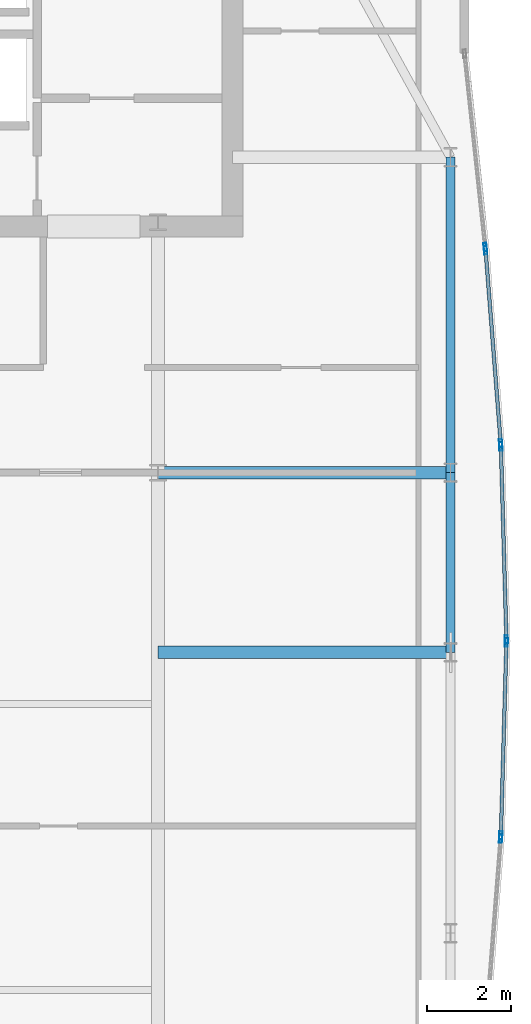
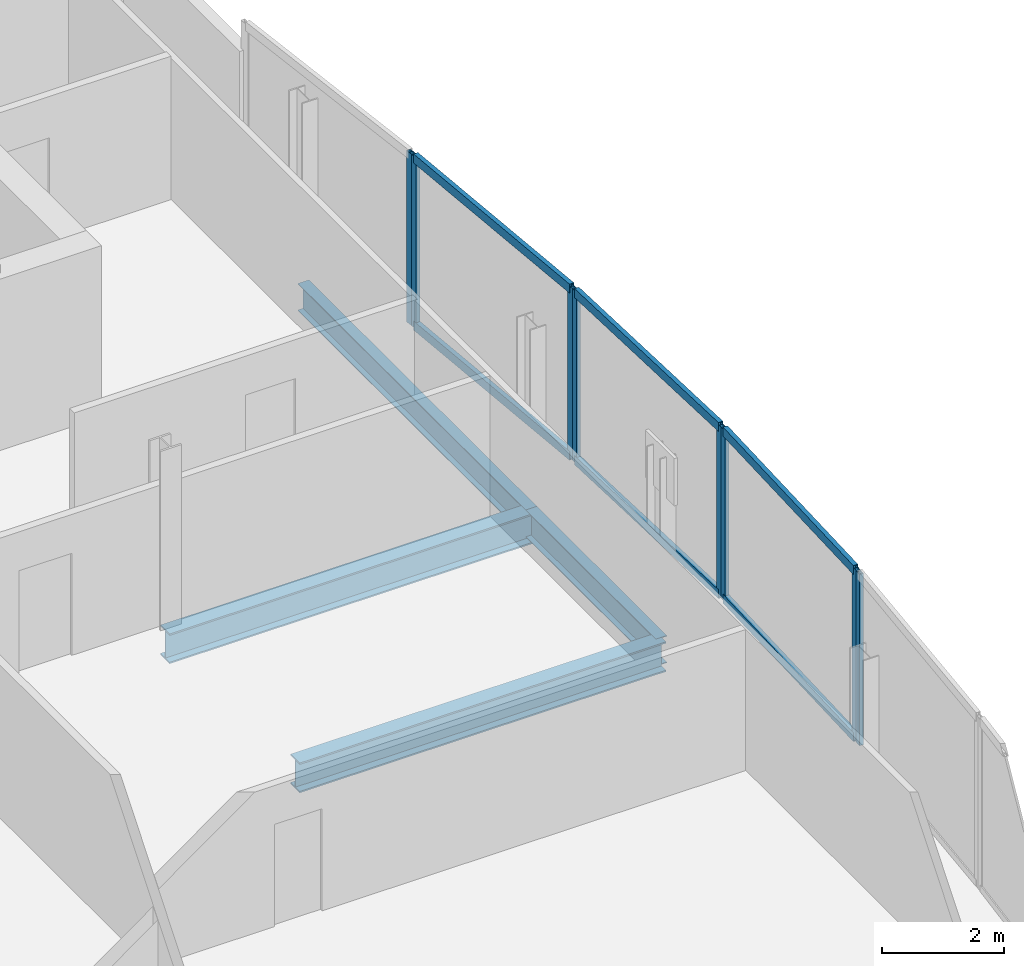
# One storey, part 17 of 27: 14 members, 4 beams, 5 elements without a shape of their own.
"""IFC4 building model written with IfcOpenShell, lengths in metres."""

from ifc_helpers import new_model, si_unit, direction, frame, origin, origin_2d, place, context, subcontext, project, spatial, hollow_rectangle, i_section, extrude, material, material_profile, profile_set, type_object, element, aggregate, save


model = new_model("IFC4")

# Units and contexts
model_context = context("Model", 3, precision=1e-05, world=origin(), true_north=direction((0.0, 1.0)))
body_context = subcontext(model_context, "Body", "Model", "MODEL_VIEW")
ifc_project = project(units=[si_unit("LENGTHUNIT", "METRE"), si_unit("AREAUNIT", "SQUARE_METRE"), si_unit("VOLUMEUNIT", "CUBIC_METRE"), si_unit("PLANEANGLEUNIT", "RADIAN"), si_unit("MASSUNIT", "GRAM", prefix="KILO")], contexts=[model_context])

# Site, building, storey
site_placement = place(None, origin())
site = spatial("IfcSite", under=ifc_project, at=site_placement, CompositionType="ELEMENT")
building_placement = place(site_placement, origin())
building = spatial("IfcBuilding", under=site, at=building_placement, Name="Khoronbel Lancet Exchange", CompositionType="ELEMENT")
storey_placement = place(building_placement, frame((0.0, 0.0, 343.39990234375)))
storey = spatial("IfcBuildingStorey", under=building, at=storey_placement, Name="L89", CompositionType="ELEMENT", Elevation=343.39990234375)

# Beams
ifc_material_1 = material(Name="Steel S355", Category="steel")
ifc_material_profile_1 = material_profile(ifc_material_1, i_section(OverallWidth=0.300048828125, OverallDepth=0.60009765625, WebThickness=0.015380859375, FlangeThickness=0.030029296875, at=origin_2d()), Name="HEB 600")
ifc_profile_set_1 = profile_set([ifc_material_profile_1], Name="Steel S355")
beam_type_1 = type_object("IfcBeamType", Name="BM-BG5", PredefinedType="BEAM", material=ifc_profile_set_1)
for number, where, z_axis, x_axis, name in (
    (1, (54.675048828125, 31.425048828125, -0.4599609375), (1.0, 0.0, 0.0), (0.0, 1.0, 0.0), "Level L89 east lens tie girder LG2E"),
    (2, (54.675048828125, 35.699951171875, -0.4599609375), (1.0, 0.0, 0.0), (0.0, 1.0, 0.0), "Level L89 east lens tie girder LG4E"),
):
    element("IfcBeam", number, at=place(storey_placement, frame(where, z_axis=z_axis, x_axis=x_axis)), inside=storey, type_object=beam_type_1, Name=name, PredefinedType="BEAM", context=body_context, shape_type="SweptSolid", body=[
        extrude(i_section(OverallWidth=0.300048828125, OverallDepth=0.60009765625, WebThickness=0.015380859375, FlangeThickness=0.030029296875, at=origin_2d()), origin(), (0.0, 0.0, 1.0), 6.954833984375),
    ])
ifc_material_profile_2 = material_profile(ifc_material_1, i_section(OverallWidth=0.2099609375, OverallDepth=0.550048828125, WebThickness=0.010986328125, FlangeThickness=0.01708984375, at=origin_2d()), Name="IPE 550")
ifc_profile_set_2 = profile_set([ifc_material_profile_2], Name="Steel S355")
beam_type_2 = type_object("IfcBeamType", Name="BM-BSP3", PredefinedType="SPANDREL", material=ifc_profile_set_2)
beam_1_placement = place(storey_placement, frame((61.6298828125, 31.425048828125, -0.434814453125), z_axis=(0.0, 1.0, 0.0), x_axis=(-1.0, 0.0, 0.0)))
element("IfcBeam", 3, at=beam_1_placement, inside=storey, type_object=beam_type_2, Name="Level L89 perimeter spandrel beam SP11", PredefinedType="SPANDREL", context=body_context, shape_type="SweptSolid", body=[
    extrude(i_section(OverallWidth=0.2099609375, OverallDepth=0.550048828125, WebThickness=0.010986328125, FlangeThickness=0.01708984375, at=origin_2d()), origin(), (0.0, 0.0, 1.0), 4.27490234375),
])
beam_2_placement = place(storey_placement, frame((61.6298828125, 35.699951171875, -0.434814453125), z_axis=(0.0, 1.0, 0.0), x_axis=(-1.0, 0.0, 0.0)))
element("IfcBeam", 4, at=beam_2_placement, inside=storey, type_object=beam_type_2, Name="Level L89 perimeter spandrel beam SP12", PredefinedType="SPANDREL", context=body_context, shape_type="SweptSolid", body=[
    extrude(i_section(OverallWidth=0.2099609375, OverallDepth=0.550048828125, WebThickness=0.010986328125, FlangeThickness=0.01708984375, at=origin_2d()), origin(), (0.0, 0.0, 1.0), 7.5),
])

# Curtain wall, member
ifc_material_2 = material(Name="Low-E Solar Control Insulating Glass", Category="glass")
curtain_wall_type = type_object("IfcCurtainWallType", Name="CW-4", PredefinedType="NOTDEFINED", material=ifc_material_2)
curtain_wall_1_placement = place(storey_placement, origin())
curtain_wall_1 = element("IfcCurtainWall", 5, at=curtain_wall_1_placement, inside=storey, type_object=curtain_wall_type, Name="Unitised curtain wall CW-L89-E17", PredefinedType="NOTDEFINED")
ifc_material_3 = material(Name="Bronze-Anodised Aluminium 6063-T6", Category="aluminium")
ifc_material_profile_3 = material_profile(ifc_material_3, hollow_rectangle(XDim=0.074951171875, YDim=0.199951171875, WallThickness=0.0048828125, at=origin_2d()), Name="ALU MULLION 75x200")
ifc_profile_set_3 = profile_set([ifc_material_profile_3], Name="Bronze-Anodised Aluminium 6063-T6")
member_type_1 = type_object("IfcMemberType", Name="MEM-CWM2", PredefinedType="MULLION", material=ifc_profile_set_3)
member_1_placement = place(storey_placement, frame((62.456298828125, 41.062255859375, 0.0), z_axis=(0.0, 0.0, 1.0), x_axis=(0.994308670645, 0.106537634098, 0.0)))
member_1 = element("IfcMember", 6, at=member_1_placement, type_object=member_type_1, Name="CW4 mullion 2", PredefinedType="MULLION", context=body_context, shape_type="SweptSolid", body=[
    extrude(hollow_rectangle(XDim=0.074951171875, YDim=0.199951171875, WallThickness=0.0048828125, at=origin_2d()), origin(), (0.0, 0.0, 1.0), 3.440185546875),
])
aggregate(curtain_wall_1, [member_1])

# Curtain wall, members
curtain_wall_2_placement = place(storey_placement, origin())
curtain_wall_2 = element("IfcCurtainWall", 7, at=curtain_wall_2_placement, inside=storey, type_object=curtain_wall_type, Name="Unitised curtain wall CW-L89-E18", PredefinedType="NOTDEFINED")
member_2_placement = place(storey_placement, frame((62.46337890625, 40.987548828125, 0.0), z_axis=(0.0, 0.0, 1.0), x_axis=(0.996938933306, 0.078184162452, 0.0)))
member_2 = element("IfcMember", 8, at=member_2_placement, type_object=member_type_1, Name="CW4 mullion 1", PredefinedType="MULLION", context=body_context, shape_type="SweptSolid", body=[
    extrude(hollow_rectangle(XDim=0.074951171875, YDim=0.199951171875, WallThickness=0.0048828125, at=origin_2d()), origin(), (0.0, 0.0, 1.0), 3.440185546875),
])
member_3_placement = place(storey_placement, frame((62.8232421875, 36.399169921875, 0.0), z_axis=(0.0, 0.0, 1.0), x_axis=(0.996938933306, 0.078184162452, 0.0)))
member_3 = element("IfcMember", 9, at=member_3_placement, type_object=member_type_1, Name="CW4 mullion 2", PredefinedType="MULLION", context=body_context, shape_type="SweptSolid", body=[
    extrude(hollow_rectangle(XDim=0.074951171875, YDim=0.199951171875, WallThickness=0.0048828125, at=origin_2d()), origin(), (0.0, 0.0, 1.0), 3.440185546875),
])

curtain_wall_3_placement = place(storey_placement, origin())
curtain_wall_3 = element("IfcCurtainWall", 10, at=curtain_wall_3_placement, inside=storey, type_object=curtain_wall_type, Name="Unitised curtain wall CW-L89-E19", PredefinedType="NOTDEFINED")
member_4_placement = place(storey_placement, frame((62.8271484375, 36.324462890625, 0.0), z_axis=(0.0, 0.0, 1.0), x_axis=(0.9995877728, 0.028710354746, 0.0)))
member_4 = element("IfcMember", 11, at=member_4_placement, type_object=member_type_1, Name="CW4 mullion 1", PredefinedType="MULLION", context=body_context, shape_type="SweptSolid", body=[
    extrude(hollow_rectangle(XDim=0.074951171875, YDim=0.199951171875, WallThickness=0.0048828125, at=origin_2d()), origin(), (0.0, 0.0, 1.0), 3.440185546875),
])
member_5_placement = place(storey_placement, frame((62.958984375, 31.737548828125, 0.0), z_axis=(0.0, 0.0, 1.0), x_axis=(0.9995877728, 0.028710354746, 0.0)))
member_5 = element("IfcMember", 12, at=member_5_placement, type_object=member_type_1, Name="CW4 mullion 2", PredefinedType="MULLION", context=body_context, shape_type="SweptSolid", body=[
    extrude(hollow_rectangle(XDim=0.074951171875, YDim=0.199951171875, WallThickness=0.0048828125, at=origin_2d()), origin(), (0.0, 0.0, 1.0), 3.440185546875),
])

curtain_wall_4_placement = place(storey_placement, origin())
curtain_wall_4 = element("IfcCurtainWall", 13, at=curtain_wall_4_placement, inside=storey, type_object=curtain_wall_type, Name="Unitised curtain wall CW-L89-E20", PredefinedType="NOTDEFINED")
member_6_placement = place(storey_placement, frame((62.958984375, 31.66259765625, 0.0), z_axis=(0.0, 0.0, 1.0), x_axis=(0.9995877728, -0.028710354746, 0.0)))
member_6 = element("IfcMember", 14, at=member_6_placement, type_object=member_type_1, Name="CW4 mullion 1", PredefinedType="MULLION", context=body_context, shape_type="SweptSolid", body=[
    extrude(hollow_rectangle(XDim=0.074951171875, YDim=0.199951171875, WallThickness=0.0048828125, at=origin_2d()), origin(), (0.0, 0.0, 1.0), 3.440185546875),
])
member_7_placement = place(storey_placement, frame((62.8271484375, 27.07568359375, 0.0), z_axis=(0.0, 0.0, 1.0), x_axis=(0.9995877728, -0.028710354746, 0.0)))
member_7 = element("IfcMember", 15, at=member_7_placement, type_object=member_type_1, Name="CW4 mullion 2", PredefinedType="MULLION", context=body_context, shape_type="SweptSolid", body=[
    extrude(hollow_rectangle(XDim=0.074951171875, YDim=0.199951171875, WallThickness=0.0048828125, at=origin_2d()), origin(), (0.0, 0.0, 1.0), 3.440185546875),
])

# Curtain wall, member
curtain_wall_5_placement = place(storey_placement, origin())
curtain_wall_5 = element("IfcCurtainWall", 16, at=curtain_wall_5_placement, inside=storey, type_object=curtain_wall_type, Name="Unitised curtain wall CW-L89-E21", PredefinedType="NOTDEFINED")
member_8_placement = place(storey_placement, frame((62.8232421875, 27.000732421875, 0.0), z_axis=(0.0, 0.0, 1.0), x_axis=(0.996938933306, -0.078184162452, 0.0)))
member_8 = element("IfcMember", 17, at=member_8_placement, type_object=member_type_1, Name="CW4 mullion 1", PredefinedType="MULLION", context=body_context, shape_type="SweptSolid", body=[
    extrude(hollow_rectangle(XDim=0.074951171875, YDim=0.199951171875, WallThickness=0.0048828125, at=origin_2d()), origin(), (0.0, 0.0, 1.0), 3.440185546875),
])
aggregate(curtain_wall_5, [member_8])

# Member
ifc_material_profile_4 = material_profile(ifc_material_3, hollow_rectangle(XDim=0.0849609375, YDim=0.179931640625, WallThickness=0.0048828125, at=origin_2d()), Name="ALU TRANSOM 85x180")
ifc_profile_set_4 = profile_set([ifc_material_profile_4], Name="Bronze-Anodised Aluminium 6063-T6")
member_type_2 = type_object("IfcMemberType", Name="MEM-CWT1", PredefinedType="USERDEFINED", material=ifc_profile_set_4)
member_9_placement = place(storey_placement, frame((62.46630859375, 40.9501953125, 0.04248046875), z_axis=(0.078193347152, -0.996938212961, 0.0), x_axis=(0.996938212961, 0.078193347152, 0.0)))
member_9 = element("IfcMember", 18, at=member_9_placement, type_object=member_type_2, Name="CW4 transom 1.1", ObjectType="TRANSOM", PredefinedType="USERDEFINED", context=body_context, shape_type="SweptSolid", body=[
    extrude(hollow_rectangle(XDim=0.0849609375, YDim=0.179931640625, WallThickness=0.0048828125, at=origin_2d()), origin(), (0.0, 0.0, 1.0), 4.52734375),
])

member_10_placement = place(storey_placement, frame((62.46630859375, 40.9501953125, 3.397705078125), z_axis=(0.078193347152, -0.996938212961, 0.0), x_axis=(0.996938212961, 0.078193347152, 0.0)))
member_10 = element("IfcMember", 19, at=member_10_placement, type_object=member_type_2, Name="CW4 transom 1.2", ObjectType="TRANSOM", PredefinedType="USERDEFINED", context=body_context, shape_type="SweptSolid", body=[
    extrude(hollow_rectangle(XDim=0.0849609375, YDim=0.179931640625, WallThickness=0.0048828125, at=origin_2d()), origin(), (0.0, 0.0, 1.0), 4.52734375),
])

aggregate(curtain_wall_2, [member_2, member_3, member_9, member_10])

member_11_placement = place(storey_placement, frame((62.828369140625, 36.286865234375, 0.04248046875), z_axis=(0.028666316187, -0.999589036713, 0.0), x_axis=(0.999589036713, 0.028666316187, 0.0)))
member_11 = element("IfcMember", 20, at=member_11_placement, type_object=member_type_2, Name="CW4 transom 1.1", ObjectType="TRANSOM", PredefinedType="USERDEFINED", context=body_context, shape_type="SweptSolid", body=[
    extrude(hollow_rectangle(XDim=0.0849609375, YDim=0.179931640625, WallThickness=0.0048828125, at=origin_2d()), origin(), (0.0, 0.0, 1.0), 4.513916015625),
])

member_12_placement = place(storey_placement, frame((62.828369140625, 36.286865234375, 3.397705078125), z_axis=(0.028666316187, -0.999589036713, 0.0), x_axis=(0.999589036713, 0.028666316187, 0.0)))
member_12 = element("IfcMember", 21, at=member_12_placement, type_object=member_type_2, Name="CW4 transom 1.2", ObjectType="TRANSOM", PredefinedType="USERDEFINED", context=body_context, shape_type="SweptSolid", body=[
    extrude(hollow_rectangle(XDim=0.0849609375, YDim=0.179931640625, WallThickness=0.0048828125, at=origin_2d()), origin(), (0.0, 0.0, 1.0), 4.513916015625),
])

aggregate(curtain_wall_3, [member_4, member_5, member_11, member_12])

member_13_placement = place(storey_placement, frame((62.957763671875, 31.625, 0.04248046875), z_axis=(-0.028666316187, -0.999589036713, 0.0), x_axis=(0.999589036713, -0.028666316187, 0.0)))
member_13 = element("IfcMember", 22, at=member_13_placement, type_object=member_type_2, Name="CW4 transom 1.1", ObjectType="TRANSOM", PredefinedType="USERDEFINED", context=body_context, shape_type="SweptSolid", body=[
    extrude(hollow_rectangle(XDim=0.0849609375, YDim=0.179931640625, WallThickness=0.0048828125, at=origin_2d()), origin(), (0.0, 0.0, 1.0), 4.513916015625),
])

member_14_placement = place(storey_placement, frame((62.957763671875, 31.625, 3.397705078125), z_axis=(-0.028666316187, -0.999589036713, 0.0), x_axis=(0.999589036713, -0.028666316187, 0.0)))
member_14 = element("IfcMember", 23, at=member_14_placement, type_object=member_type_2, Name="CW4 transom 1.2", ObjectType="TRANSOM", PredefinedType="USERDEFINED", context=body_context, shape_type="SweptSolid", body=[
    extrude(hollow_rectangle(XDim=0.0849609375, YDim=0.179931640625, WallThickness=0.0048828125, at=origin_2d()), origin(), (0.0, 0.0, 1.0), 4.513916015625),
])

aggregate(curtain_wall_4, [member_6, member_7, member_13, member_14])

save(model, "model.ifc")
